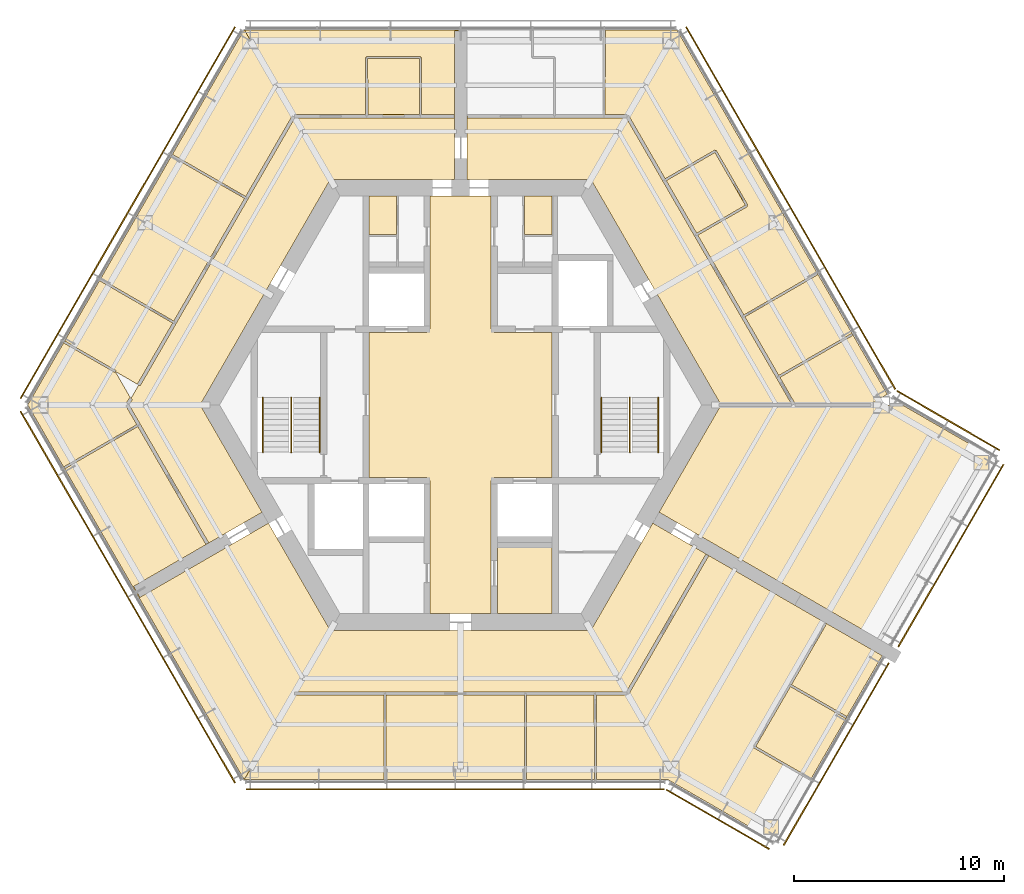
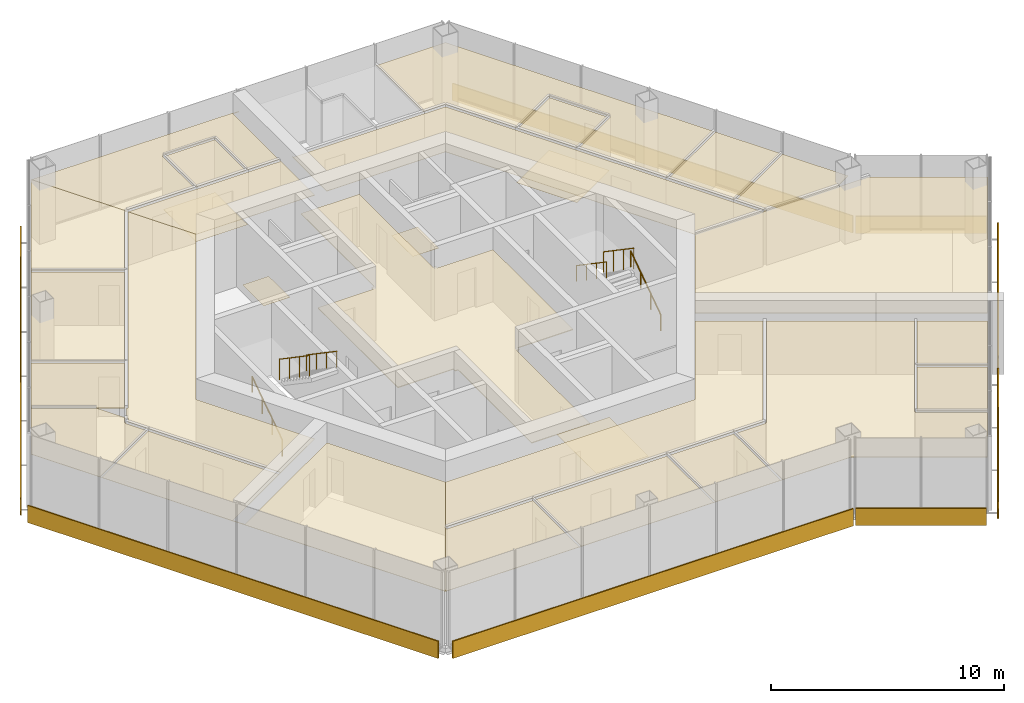
# One storey, part 12 of 13: 29 coverings, 8 shading devices, 6 railings.
"""IFC4 building model written with IfcOpenShell, lengths in metres."""

from ifc_helpers import new_model, si_unit, direction, frame, origin, origin_2d, place, context, subcontext, project, spatial, polyline, rectangle, circle, outline, extrude, material, layer, layer_set, type_object, element, save


model = new_model("IFC4")

# Units and contexts
model_context = context("Model", 3, precision=1e-05, world=origin(), true_north=direction((0.0, 1.0)))
body_context = subcontext(model_context, "Body", "Model", "MODEL_VIEW")
ifc_project = project(units=[si_unit("LENGTHUNIT", "METRE"), si_unit("AREAUNIT", "SQUARE_METRE"), si_unit("VOLUMEUNIT", "CUBIC_METRE"), si_unit("PLANEANGLEUNIT", "RADIAN"), si_unit("MASSUNIT", "GRAM", prefix="KILO")], contexts=[model_context])

# Site, building, storey
site_placement = place(None, origin())
site = spatial("IfcSite", under=ifc_project, at=site_placement, CompositionType="ELEMENT")
building_placement = place(site_placement, origin())
building = spatial("IfcBuilding", under=site, at=building_placement, Name="Kasaneha Research Tower", CompositionType="ELEMENT")
storey_placement = place(building_placement, frame((0.0, 0.0, 279.10009765625)))
storey = spatial("IfcBuildingStorey", under=building, at=storey_placement, Name="L70", CompositionType="ELEMENT", Elevation=279.10009765625)

# Covering
ifc_material_1 = material(Name="Aluminium panel ceiling", Category="aluminium")
ifc_layer_1 = layer(ifc_material_1, 0.0400390625)
ifc_layer_set_1 = layer_set([ifc_layer_1], Name="Lift lobby ceiling 40")
covering_type_1 = type_object("IfcCoveringType", Name="Lift lobby ceiling 40", PredefinedType="CEILING", material=ifc_layer_set_1)
covering_1_placement = place(storey_placement, frame((0.0, 0.0, 2.699951171875)))
element("IfcCovering", 1, at=covering_1_placement, inside=storey, type_object=covering_type_1, Name="Ceiling L70-01", PredefinedType="CEILING", context=body_context, shape_type="SweptSolid", body=[
    extrude(outline(polyline([(1.449951171875, 9.925048828125), (1.449951171875, 3.60009765625), (1.60009765625, 3.60009765625), (1.60009765625, 3.449951171875), (4.35009765625, 3.449951171875), (4.35009765625, -3.449951171875), (1.60009765625, -3.449951171875), (1.60009765625, -3.60009765625), (1.449951171875, -3.60009765625), (1.449951171875, -9.925048828125), (-1.449951171875, -9.925048828125), (-1.449951171875, -3.60009765625), (-1.60009765625, -3.60009765625), (-1.60009765625, -3.449951171875), (-4.35009765625, -3.449951171875), (-4.35009765625, 3.449951171875), (-1.60009765625, 3.449951171875), (-1.60009765625, 3.60009765625), (-1.449951171875, 3.60009765625), (-1.449951171875, 9.925048828125), (1.449951171875, 9.925048828125)])), origin(), (0.0, 0.0, 1.0), 0.0400390625),
])

# Railings
ifc_material_2 = material(Name="Steel", Category="steel")
railing_type_1 = type_object("IfcRailingType", Name="Stair balustrade 1100", PredefinedType="GUARDRAIL", material=ifc_material_2)
for number, where, name in (
    (2, (8.050048828125, 0.35009765625, 2.127197265625), "Stair 1 balustrade L70"),
    (3, (-8.050048828125, 0.35009765625, 2.127197265625), "Stair 2 balustrade L70"),
):
    element("IfcRailing", number, at=place(storey_placement, frame(where)), inside=storey, type_object=railing_type_1, Name=name, PredefinedType="GUARDRAIL", context=body_context, shape_type="SweptSolid", body=[
        extrude(circle(Radius=0.02392578125, at=origin_2d()), frame((0.0, 0.0, 1.076171875), z_axis=(0.0, -0.826240473404, 0.563317565952), x_axis=(1.0, 0.0, 0.0)), (0.0, 0.0, 1.0), 3.14697265625),
        extrude(circle(Radius=0.02099609375, at=origin_2d()), origin(), (0.0, 0.0, 1.0), 1.052001953125),
        extrude(circle(Radius=0.02099609375, at=origin_2d()), frame((0.0, -0.86669921875, 0.5908203125)), (0.0, 0.0, 1.0), 1.052001953125),
        extrude(circle(Radius=0.02099609375, at=origin_2d()), frame((0.0, -1.7333984375, 1.181884765625)), (0.0, 0.0, 1.0), 1.052001953125),
        extrude(circle(Radius=0.02099609375, at=origin_2d()), frame((0.0, -2.60009765625, 1.772705078125)), (0.0, 0.0, 1.0), 1.052001953125),
    ])
ifc_material_3 = material(Name="Steel", Category="steel")
railing_type_2 = type_object("IfcRailingType", Name="Stair handrail 850", PredefinedType="HANDRAIL", material=ifc_material_3)
railing_1_placement = place(storey_placement, frame((9.39990234375, -2.25, 0.17724609375)))
element("IfcRailing", 4, at=railing_1_placement, inside=storey, type_object=railing_type_2, Name="Stair 1 handrail L70", PredefinedType="HANDRAIL", context=body_context, shape_type="SweptSolid", body=[
    extrude(circle(Radius=0.02392578125, at=origin_2d()), frame((0.0, 0.0, 0.826171875), z_axis=(0.0, 0.826240473404, 0.563317565952), x_axis=(-1.0, 0.0, 0.0)), (0.0, 0.0, 1.0), 3.14697265625),
    extrude(circle(Radius=0.02099609375, at=origin_2d()), origin(), (0.0, 0.0, 1.0), 0.802001953125),
    extrude(circle(Radius=0.02099609375, at=origin_2d()), frame((0.0, 0.86669921875, 0.5908203125)), (0.0, 0.0, 1.0), 0.802001953125),
    extrude(circle(Radius=0.02099609375, at=origin_2d()), frame((0.0, 1.7333984375, 1.181884765625)), (0.0, 0.0, 1.0), 0.802001953125),
    extrude(circle(Radius=0.02099609375, at=origin_2d()), frame((0.0, 2.60009765625, 1.772705078125)), (0.0, 0.0, 1.0), 0.802001953125),
])
railing_2_placement = place(storey_placement, frame((6.699951171875, 0.35009765625, 2.127197265625)))
element("IfcRailing", 5, at=railing_2_placement, inside=storey, type_object=railing_type_2, Name="Stair 1 handrail L70", PredefinedType="HANDRAIL", context=body_context, shape_type="SweptSolid", body=[
    extrude(circle(Radius=0.02392578125, at=origin_2d()), frame((0.0, 0.0, 0.826171875), z_axis=(0.0, -0.826240473404, 0.563317565952), x_axis=(1.0, 0.0, 0.0)), (0.0, 0.0, 1.0), 3.14697265625),
    extrude(circle(Radius=0.02099609375, at=origin_2d()), origin(), (0.0, 0.0, 1.0), 0.802001953125),
    extrude(circle(Radius=0.02099609375, at=origin_2d()), frame((0.0, -0.86669921875, 0.5908203125)), (0.0, 0.0, 1.0), 0.802001953125),
    extrude(circle(Radius=0.02099609375, at=origin_2d()), frame((0.0, -1.7333984375, 1.181884765625)), (0.0, 0.0, 1.0), 0.802001953125),
    extrude(circle(Radius=0.02099609375, at=origin_2d()), frame((0.0, -2.60009765625, 1.772705078125)), (0.0, 0.0, 1.0), 0.802001953125),
])
railing_3_placement = place(storey_placement, frame((-9.39990234375, -2.25, 0.17724609375)))
element("IfcRailing", 6, at=railing_3_placement, inside=storey, type_object=railing_type_2, Name="Stair 2 handrail L70", PredefinedType="HANDRAIL", context=body_context, shape_type="SweptSolid", body=[
    extrude(circle(Radius=0.02392578125, at=origin_2d()), frame((0.0, 0.0, 0.826171875), z_axis=(0.0, 0.826240473404, 0.563317565952), x_axis=(-1.0, 0.0, 0.0)), (0.0, 0.0, 1.0), 3.14697265625),
    extrude(circle(Radius=0.02099609375, at=origin_2d()), origin(), (0.0, 0.0, 1.0), 0.802001953125),
    extrude(circle(Radius=0.02099609375, at=origin_2d()), frame((0.0, 0.86669921875, 0.5908203125)), (0.0, 0.0, 1.0), 0.802001953125),
    extrude(circle(Radius=0.02099609375, at=origin_2d()), frame((0.0, 1.7333984375, 1.181884765625)), (0.0, 0.0, 1.0), 0.802001953125),
    extrude(circle(Radius=0.02099609375, at=origin_2d()), frame((0.0, 2.60009765625, 1.772705078125)), (0.0, 0.0, 1.0), 0.802001953125),
])
railing_4_placement = place(storey_placement, frame((-6.699951171875, 0.35009765625, 2.127197265625)))
element("IfcRailing", 7, at=railing_4_placement, inside=storey, type_object=railing_type_2, Name="Stair 2 handrail L70", PredefinedType="HANDRAIL", context=body_context, shape_type="SweptSolid", body=[
    extrude(circle(Radius=0.02392578125, at=origin_2d()), frame((0.0, 0.0, 0.826171875), z_axis=(0.0, -0.826240473404, 0.563317565952), x_axis=(1.0, 0.0, 0.0)), (0.0, 0.0, 1.0), 3.14697265625),
    extrude(circle(Radius=0.02099609375, at=origin_2d()), origin(), (0.0, 0.0, 1.0), 0.802001953125),
    extrude(circle(Radius=0.02099609375, at=origin_2d()), frame((0.0, -0.86669921875, 0.5908203125)), (0.0, 0.0, 1.0), 0.802001953125),
    extrude(circle(Radius=0.02099609375, at=origin_2d()), frame((0.0, -1.7333984375, 1.181884765625)), (0.0, 0.0, 1.0), 0.802001953125),
    extrude(circle(Radius=0.02099609375, at=origin_2d()), frame((0.0, -2.60009765625, 1.772705078125)), (0.0, 0.0, 1.0), 0.802001953125),
])

# Coverings
ifc_material_4 = material(Name="Gypsum ceiling board", Category="gypsum")
ifc_layer_2 = layer(ifc_material_4, 0.02001953125)
ifc_layer_set_2 = layer_set([ifc_layer_2], Name="Suspended ceiling 20")
covering_type_2 = type_object("IfcCoveringType", Name="Suspended ceiling 20", PredefinedType="CEILING", material=ifc_layer_set_2)
covering_2_placement = place(storey_placement, frame((0.0, 0.0, 2.7998046875)))
element("IfcCovering", 8, at=covering_2_placement, inside=storey, type_object=covering_type_2, Name="Ceiling L70-27", PredefinedType="CEILING", context=body_context, shape_type="SweptSolid", body=[
    extrude(outline(polyline([(6.192138671875, 10.72509765625), (0.300048828125, 10.72509765625), (0.300048828125, 11.72509765625), (0.300048828125, 12.72509765625), (0.300048828125, 13.72509765625), (0.320068359375, 13.72509765625), (0.320068359375, 13.64990234375), (4.4599609375, 13.64990234375), (4.469970703125, 13.64990234375), (6.826416015625, 13.64990234375), (6.8359375, 13.64990234375), (7.880859375, 13.64990234375), (9.62353515625, 10.631591796875), (9.62353515625, 10.631591796875), (11.123779296875, 8.033203125), (11.123779296875, 8.033203125), (13.362060546875, 4.156005859375), (13.362060546875, 4.156005859375), (15.02783203125, 1.27099609375), (15.02783203125, 1.27099609375), (15.76171875, 0.0), (12.38427734375, 0.0), (6.192138671875, 10.72509765625)])), origin(), (0.0, 0.0, 1.0), 0.02001953125),
])
covering_3_placement = place(storey_placement, frame((0.0, 0.0, 2.7998046875)))
element("IfcCovering", 9, at=covering_3_placement, inside=storey, type_object=covering_type_2, Name="Ceiling L70-29", PredefinedType="CEILING", context=body_context, shape_type="SweptSolid", body=[
    extrude(outline(polyline([(12.0927734375, 12.004638671875), (13.542724609375, 9.4931640625), (11.223876953125, 8.159423828125), (9.7783203125, 10.663330078125), (12.0927734375, 12.004638671875)])), origin(), (0.0, 0.0, 1.0), 0.02001953125),
])
covering_4_placement = place(storey_placement, frame((0.0, 0.0, 2.7998046875)))
element("IfcCovering", 10, at=covering_4_placement, inside=storey, type_object=covering_type_2, Name="Ceiling L70-30", PredefinedType="CEILING", context=body_context, shape_type="SweptSolid", body=[
    extrude(outline(polyline([(18.619873046875, 3.3505859375), (18.594970703125, 3.393798828125), (15.127685546875, 1.397705078125), (13.51708984375, 4.18798828125), (16.988037109375, 6.197021484375), (16.963134765625, 6.240234375), (16.9716796875, 6.2451171875), (18.63720703125, 3.360595703125), (18.619873046875, 3.3505859375)])), origin(), (0.0, 0.0, 1.0), 0.02001953125),
])
covering_5_placement = place(storey_placement, frame((0.0, 0.0, 2.7998046875)))
element("IfcCovering", 11, at=covering_5_placement, inside=storey, type_object=covering_type_2, Name="Ceiling L70-32", PredefinedType="CEILING", context=body_context, shape_type="SweptSolid", body=[
    extrude(outline(polyline([(20.28759765625, 0.501708984375), (19.41845703125, 0.0), (15.84814453125, 0.0), (15.836669921875, 0.02001953125), (15.901611328125, 0.0576171875), (15.177734375, 1.311279296875), (18.644775390625, 3.30712890625), (18.619873046875, 3.3505859375), (18.63720703125, 3.360595703125), (20.28759765625, 0.501708984375)])), origin(), (0.0, 0.0, 1.0), 0.02001953125),
])
covering_6_placement = place(storey_placement, frame((0.0, 0.0, 2.7998046875)))
element("IfcCovering", 12, at=covering_6_placement, inside=storey, type_object=covering_type_2, Name="Ceiling L70-33", PredefinedType="CEILING", context=body_context, shape_type="SweptSolid", body=[
    extrude(outline(polyline([(16.962890625, 6.24072265625), (16.93798828125, 6.283447265625), (13.467041015625, 4.2744140625), (11.27392578125, 8.072998046875), (13.635986328125, 9.431640625), (13.611328125, 9.474609375), (13.611572265625, 9.474853515625), (13.611328125, 9.47509765625), (13.654296875, 9.5), (12.154296875, 12.097900390625), (12.111572265625, 12.0732421875), (12.111572265625, 12.0732421875), (12.111083984375, 12.072998046875), (12.0859375, 12.1162109375), (9.728271484375, 10.75), (7.989013671875, 13.762451171875), (7.924560546875, 13.725341796875), (7.924560546875, 13.725341796875), (7.924072265625, 13.725341796875), (7.924072265625, 13.800048828125), (6.87646484375, 13.800048828125), (6.880859375, 17.800537109375), (6.83154296875, 17.800537109375), (6.83154296875, 17.820556640625), (10.28857421875, 17.820556640625), (16.971435546875, 6.24560546875), (16.962890625, 6.24072265625)])), origin(), (0.0, 0.0, 1.0), 0.02001953125),
])
covering_7_placement = place(storey_placement, frame((0.0, 0.0, 2.7998046875)))
element("IfcCovering", 13, at=covering_7_placement, inside=storey, type_object=covering_type_2, Name="Ceiling L70-34", PredefinedType="CEILING", context=body_context, shape_type="SweptSolid", body=[
    extrude(outline(polyline([(-0.300048828125, 11.72509765625), (-0.300048828125, 10.72509765625), (-6.192138671875, 10.72509765625), (-7.880859375, 13.64990234375), (-4.469970703125, 13.64990234375), (-4.46044921875, 13.64990234375), (-1.904541015625, 13.64990234375), (-1.89501953125, 13.64990234375), (-0.320068359375, 13.64990234375), (-0.320068359375, 13.72509765625), (-0.300048828125, 13.72509765625), (-0.300048828125, 12.72509765625), (-0.300048828125, 11.72509765625)])), origin(), (0.0, 0.0, 1.0), 0.02001953125),
])
covering_8_placement = place(storey_placement, frame((0.0, 0.0, 2.7998046875)))
element("IfcCovering", 14, at=covering_8_placement, inside=storey, type_object=covering_type_2, Name="Ceiling L70-35", PredefinedType="CEILING", context=body_context, shape_type="SweptSolid", body=[
    extrude(outline(polyline([(-1.9501953125, 16.47509765625), (-1.954345703125, 13.800048828125), (-4.41064453125, 13.800048828125), (-4.4150390625, 16.47509765625), (-1.9501953125, 16.47509765625)])), origin(), (0.0, 0.0, 1.0), 0.02001953125),
])
covering_9_placement = place(storey_placement, frame((0.0, 0.0, 2.7998046875)))
element("IfcCovering", 15, at=covering_9_placement, inside=storey, type_object=covering_type_2, Name="Ceiling L70-36", PredefinedType="CEILING", context=body_context, shape_type="SweptSolid", body=[
    extrude(outline(polyline([(-0.320068359375, 13.7255859375), (-0.320068359375, 13.800048828125), (-1.8544921875, 13.800048828125), (-1.85009765625, 16.52490234375), (-1.899658203125, 16.52490234375), (-1.899658203125, 16.525390625), (-1.89990234375, 16.525390625), (-1.89990234375, 16.574951171875), (-4.465087890625, 16.574951171875), (-4.465087890625, 16.525390625), (-4.465087890625, 16.52490234375), (-4.514892578125, 16.52490234375), (-4.510498046875, 13.800048828125), (-7.90087890625, 13.800048828125), (-7.90087890625, 13.725341796875), (-7.92431640625, 13.725341796875), (-10.28857421875, 17.820556640625), (0.0, 17.820556640625), (0.0, 17.7705078125), (-0.300048828125, 17.7705078125), (-0.300048828125, 17.7705078125), (-0.300048828125, 13.7255859375), (-0.320068359375, 13.7255859375)])), origin(), (0.0, 0.0, 1.0), 0.02001953125),
])
covering_10_placement = place(storey_placement, frame((0.0, 0.0, 2.7998046875)))
element("IfcCovering", 16, at=covering_10_placement, inside=storey, type_object=covering_type_2, Name="Ceiling L70-37", PredefinedType="CEILING", context=body_context, shape_type="SweptSolid", body=[
    extrude(outline(polyline([(-12.38427734375, 0.0), (-9.438232421875, -5.102783203125), (-10.30419921875, -5.602783203125), (-10.30419921875, -5.602783203125), (-11.170166015625, -6.102783203125), (-11.170166015625, -6.102783203125), (-12.0361328125, -6.602783203125), (-12.046142578125, -6.58544921875), (-11.981201171875, -6.5478515625), (-15.239013671875, -0.905517578125), (-15.239013671875, -0.905517578125), (-15.76171875, 0.0), (-15.607177734375, 0.267578125), (-15.672119140625, 0.304931640625), (-15.30419921875, 0.9423828125), (-15.2392578125, 0.90478515625), (-13.5263671875, 3.871337890625), (-13.526611328125, 3.871337890625), (-10.111328125, 9.786865234375), (-10.111328125, 9.786865234375), (-7.880859375, 13.64990234375), (-7.880859375, 13.64990234375), (-6.192138671875, 10.72509765625), (-12.38427734375, 0.0)])), origin(), (0.0, 0.0, 1.0), 0.02001953125),
])
covering_11_placement = place(storey_placement, frame((0.0, 0.0, 2.7998046875)))
element("IfcCovering", 17, at=covering_11_placement, inside=storey, type_object=covering_type_2, Name="Ceiling L70-38", PredefinedType="CEILING", context=body_context, shape_type="SweptSolid", body=[
    extrude(outline(polyline([(-17.12353515625, 5.9423828125), (-17.1484375, 5.899169921875), (-13.68603515625, 3.89501953125), (-15.36669921875, 0.984130859375), (-16.413330078125, 1.58837890625), (-16.38818359375, 1.6318359375), (-18.81494140625, 3.03271484375), (-18.83984375, 2.989501953125), (-18.848388671875, 2.994384765625), (-17.140869140625, 5.952392578125), (-17.12353515625, 5.9423828125)])), origin(), (0.0, 0.0, 1.0), 0.02001953125),
])
covering_12_placement = place(storey_placement, frame((0.0, 0.0, 2.7998046875)))
element("IfcCovering", 18, at=covering_12_placement, inside=storey, type_object=covering_type_2, Name="Ceiling L70-39", PredefinedType="CEILING", context=body_context, shape_type="SweptSolid", body=[
    extrude(outline(polyline([(-12.027587890625, 14.83251953125), (-10.299072265625, 17.826416015625), (-10.291748046875, 17.83203125), (-10.282470703125, 17.830810546875), (-7.912353515625, 13.725830078125), (-7.917236328125, 13.714111328125), (-7.924560546875, 13.725341796875), (-7.93603515625, 13.705322265625), (-8.000732421875, 13.742431640625), (-10.21630859375, 9.905029296875), (-13.691650390625, 11.906494140625), (-13.716552734375, 11.86328125), (-13.725341796875, 11.8681640625), (-12.023193359375, 14.816162109375), (-12.029052734375, 14.82373046875), (-12.027587890625, 14.83251953125)])), origin(), (0.0, 0.0, 1.0), 0.02001953125),
])
covering_13_placement = place(storey_placement, frame((0.0, 0.0, 2.7998046875)))
element("IfcCovering", 19, at=covering_13_placement, inside=storey, type_object=covering_type_2, Name="Ceiling L70-40", PredefinedType="CEILING", context=body_context, shape_type="SweptSolid", body=[
    extrude(outline(polyline([(-18.848388671875, -2.994384765625), (-20.577880859375, 0.0), (-18.8486328125, 2.99462890625), (-18.83984375, 2.989501953125), (-18.864990234375, 2.9462890625), (-16.438232421875, 1.545166015625), (-16.416015625, 1.58349609375), (-15.680908203125, 0.31005859375), (-15.737060546875, 0.342529296875), (-15.913330078125, 0.03759765625), (-15.848388671875, 0.0), (-15.913330078125, -0.03759765625), (-15.393798828125, -0.937255859375), (-18.864990234375, -2.9462890625), (-18.83984375, -2.989501953125), (-18.848388671875, -2.994384765625)])), origin(), (0.0, 0.0, 1.0), 0.02001953125),
])
covering_14_placement = place(storey_placement, frame((0.0, 0.0, 2.7998046875)))
element("IfcCovering", 20, at=covering_14_placement, inside=storey, type_object=covering_type_2, Name="Ceiling L70-41", PredefinedType="CEILING", context=body_context, shape_type="SweptSolid", body=[
    extrude(outline(polyline([(-17.140380859375, 5.952880859375), (-13.7255859375, 11.86767578125), (-13.716796875, 11.86279296875), (-13.74169921875, 11.81982421875), (-10.26611328125, 9.818359375), (-13.63623046875, 3.981689453125), (-17.098388671875, 5.985595703125), (-17.123291015625, 5.94287109375), (-17.140380859375, 5.952880859375)])), origin(), (0.0, 0.0, 1.0), 0.02001953125),
])
covering_15_placement = place(storey_placement, frame((0.0, 0.0, 2.7998046875)))
element("IfcCovering", 21, at=covering_15_placement, inside=storey, type_object=covering_type_2, Name="Ceiling L70-42", PredefinedType="CEILING", context=body_context, shape_type="SweptSolid", body=[
    extrude(outline(polyline([(-15.539794921875, -8.62548828125), (-15.3896484375, -8.88525390625), (-15.43310546875, -8.91015625), (-18.84814453125, -2.994873046875), (-18.839599609375, -2.989990234375), (-18.81494140625, -3.03271484375), (-15.34375, -1.023681640625), (-12.111083984375, -6.622802734375), (-12.046630859375, -6.585693359375), (-12.03662109375, -6.60302734375), (-15.539794921875, -8.62548828125), (-15.539794921875, -8.62548828125), (-15.539794921875, -8.62548828125)])), origin(), (0.0, 0.0, 1.0), 0.02001953125),
])
covering_16_placement = place(storey_placement, frame((0.0, 0.0, 2.7998046875)))
element("IfcCovering", 22, at=covering_16_placement, inside=storey, type_object=covering_type_2, Name="Ceiling L70-43", PredefinedType="CEILING", context=body_context, shape_type="SweptSolid", body=[
    extrude(outline(polyline([(-10.004150390625, -6.122314453125), (-10.004150390625, -6.122314453125), (-9.50927734375, -5.836669921875), (-9.13818359375, -5.622314453125), (-6.192138671875, -10.72509765625), (-7.880859375, -13.64990234375), (-7.90087890625, -13.64990234375), (-7.90087890625, -13.684814453125), (-10.28857421875, -17.820556640625), (-15.43310546875, -8.91015625), (-15.3896484375, -8.88525390625), (-15.23974609375, -9.14501953125), (-10.004150390625, -6.122314453125)])), origin(), (0.0, 0.0, 1.0), 0.02001953125),
])
covering_17_placement = place(storey_placement, frame((0.0, 0.0, 2.7998046875)))
element("IfcCovering", 23, at=covering_17_placement, inside=storey, type_object=covering_type_2, Name="Ceiling L70-44", PredefinedType="CEILING", context=body_context, shape_type="SweptSolid", body=[
    extrude(outline(polyline([(11.170166015625, -6.102783203125), (10.30419921875, -5.602783203125), (10.227783203125, -5.55859375), (9.438232421875, -5.102783203125), (12.38427734375, 0.0), (15.76171875, 0.0), (15.771728515625, -0.017578125), (15.802001953125, 0.0), (21.0, 0.0), (25.446044921875, -2.56689453125), (20.34619140625, -11.400390625), (12.1259765625, -6.654541015625), (11.170166015625, -6.102783203125)])), origin(), (0.0, 0.0, 1.0), 0.02001953125),
])
covering_18_placement = place(storey_placement, frame((0.0, 0.0, 2.7998046875)))
element("IfcCovering", 24, at=covering_18_placement, inside=storey, type_object=covering_type_2, Name="Ceiling L70-45", PredefinedType="CEILING", context=body_context, shape_type="SweptSolid", body=[
    extrude(outline(polyline([(-6.192138671875, -10.72509765625), (6.192138671875, -10.72509765625), (9.13818359375, -5.622314453125), (10.004150390625, -6.122314453125), (10.004150390625, -6.122314453125), (10.8701171875, -6.622314453125), (10.8701171875, -6.622314453125), (11.736083984375, -7.122314453125), (11.726318359375, -7.1396484375), (11.6611328125, -7.10205078125), (7.880859375, -13.64990234375), (6.413330078125, -13.64990234375), (6.40380859375, -13.64990234375), (3.081787109375, -13.64990234375), (3.072509765625, -13.64990234375), (-3.57958984375, -13.64990234375), (-3.589111328125, -13.64990234375), (-7.880859375, -13.64990234375), (-6.192138671875, -10.72509765625)])), origin(), (0.0, 0.0, 1.0), 0.02001953125),
])
covering_19_placement = place(storey_placement, frame((0.0, 0.0, 2.7998046875)))
element("IfcCovering", 25, at=covering_19_placement, inside=storey, type_object=covering_type_2, Name="Ceiling L70-46", PredefinedType="CEILING", context=body_context, shape_type="SweptSolid", body=[
    extrude(outline(polyline([(-7.924560546875, -13.72509765625), (-7.90087890625, -13.72509765625), (-7.90087890625, -13.800048828125), (-3.638916015625, -13.800048828125), (-3.634521484375, -17.800537109375), (-3.58447265625, -17.800537109375), (-3.58447265625, -17.820556640625), (-10.2890625, -17.820556640625), (-7.924560546875, -13.72509765625)])), origin(), (0.0, 0.0, 1.0), 0.02001953125),
])
covering_20_placement = place(storey_placement, frame((0.0, 0.0, 2.7998046875)))
element("IfcCovering", 26, at=covering_20_placement, inside=storey, type_object=covering_type_2, Name="Ceiling L70-47", PredefinedType="CEILING", context=body_context, shape_type="SweptSolid", body=[
    extrude(outline(polyline([(3.077392578125, -17.800537109375), (3.12744140625, -17.800537109375), (3.1318359375, -13.800048828125), (6.353759765625, -13.800048828125), (6.3583984375, -17.800537109375), (6.408203125, -17.800537109375), (6.408203125, -17.820556640625), (3.077392578125, -17.820556640625), (3.077392578125, -17.800537109375)])), origin(), (0.0, 0.0, 1.0), 0.02001953125),
])
covering_21_placement = place(storey_placement, frame((0.0, 0.0, 2.7998046875)))
element("IfcCovering", 27, at=covering_21_placement, inside=storey, type_object=covering_type_2, Name="Ceiling L70-48", PredefinedType="CEILING", context=body_context, shape_type="SweptSolid", body=[
    extrude(outline(polyline([(16.646240234375, -17.80908203125), (16.62890625, -17.799072265625), (16.65380859375, -17.755615234375), (14.02978515625, -16.24072265625), (15.68115234375, -13.389404296875), (18.303955078125, -14.89794921875), (18.328857421875, -14.8544921875), (18.34619140625, -14.864501953125), (16.646240234375, -17.80908203125)])), origin(), (0.0, 0.0, 1.0), 0.02001953125),
])
covering_22_placement = place(storey_placement, frame((0.0, 0.0, 2.7998046875)))
element("IfcCovering", 28, at=covering_22_placement, inside=storey, type_object=covering_type_2, Name="Ceiling L70-49", PredefinedType="CEILING", context=body_context, shape_type="SweptSolid", body=[
    extrude(outline(polyline([(18.34619140625, -14.864501953125), (18.328857421875, -14.8544921875), (18.353759765625, -14.811279296875), (15.731201171875, -13.302734375), (17.394775390625, -10.412353515625), (17.3515625, -10.387451171875), (17.361572265625, -10.3701171875), (20.046142578125, -11.920166015625), (18.34619140625, -14.864501953125)])), origin(), (0.0, 0.0, 1.0), 0.02001953125),
])
covering_23_placement = place(storey_placement, frame((0.0, 0.0, 2.7998046875)))
element("IfcCovering", 29, at=covering_23_placement, inside=storey, type_object=covering_type_2, Name="Ceiling L70-50", PredefinedType="CEILING", context=body_context, shape_type="SweptSolid", body=[
    extrude(outline(polyline([(13.96142578125, -16.25927734375), (13.9365234375, -16.30224609375), (16.603759765625, -17.84228515625), (16.62841796875, -17.799560546875), (16.64599609375, -17.8095703125), (14.946044921875, -20.75341796875), (9.865966796875, -17.820556640625), (6.40869140625, -17.820556640625), (6.40869140625, -17.800537109375), (6.458251953125, -17.800537109375), (6.453857421875, -13.800048828125), (7.924072265625, -13.800048828125), (7.924072265625, -13.725341796875), (7.924560546875, -13.725341796875), (7.924560546875, -13.725341796875), (7.989013671875, -13.762451171875), (11.791259765625, -7.177001953125), (11.7265625, -7.139892578125), (11.736572265625, -7.12255859375), (17.361083984375, -10.369873046875), (17.35107421875, -10.38720703125), (17.30810546875, -10.362548828125), (15.6220703125, -13.291748046875), (13.918212890625, -16.23388671875), (13.961181640625, -16.2587890625), (13.9609375, -16.259033203125), (13.96142578125, -16.25927734375)])), origin(), (0.0, 0.0, 1.0), 0.02001953125),
])
covering_24_placement = place(storey_placement, frame((0.0, 0.0, 2.7998046875)))
element("IfcCovering", 30, at=covering_24_placement, inside=storey, type_object=covering_type_2, Name="Ceiling L70-51", PredefinedType="CEILING", context=body_context, shape_type="SweptSolid", body=[
    extrude(outline(polyline([(3.076904296875, -17.820556640625), (-3.583984375, -17.820556640625), (-3.583984375, -17.800537109375), (-3.534423828125, -17.800537109375), (-3.538818359375, -13.800048828125), (3.03173828125, -13.800048828125), (3.02734375, -17.800537109375), (3.076904296875, -17.800537109375), (3.076904296875, -17.820556640625)])), origin(), (0.0, 0.0, 1.0), 0.02001953125),
])

# Shading devices
ifc_material_5 = material(Name="Terracotta", Category="masonry")
ifc_layer_3 = layer(ifc_material_5, 0.06005859375)
ifc_layer_set_3 = layer_set([ifc_layer_3], Name="Terracotta baguette screen")
shading_device_type = type_object("IfcShadingDeviceType", Name="Terracotta baguette screen", PredefinedType="USERDEFINED", material=ifc_layer_set_3)
shading_device_1_placement = place(storey_placement, frame((15.696044921875, 9.35498046875, -0.449951171875), z_axis=(0.0, 0.0, 1.0), x_axis=(-0.499999979232, 0.866025415775, 0.0)))
element("IfcShadingDevice", 31, at=shading_device_1_placement, inside=storey, type_object=shading_device_type, Name="Baguette screen L70 01", ObjectType="TERRACOTTA BAGUETTE SCREEN", PredefinedType="USERDEFINED", context=body_context, shape_type="SweptSolid", body=[
    extrude(rectangle(XDim=19.8857421875, YDim=0.06005859375, at=origin_2d()), origin(), (0.0, 0.0, 1.0), 0.89990234375),
])
for number, where, z_axis, x_axis, name in (
    (32, (-15.82275390625, 9.13525390625, -0.449951171875), (0.0, 0.0, 1.0), (-0.499999995722, -0.866025406254, 0.0), "Baguette screen L70 03"),
    (33, (-15.82275390625, -9.13525390625, -0.449951171875), (0.0, 0.0, 1.0), (0.499999995722, -0.866025406254, 0.0), "Baguette screen L70 04"),
):
    element("IfcShadingDevice", number, at=place(storey_placement, frame(where, z_axis=z_axis, x_axis=x_axis)), inside=storey, type_object=shading_device_type, Name=name, ObjectType="TERRACOTTA BAGUETTE SCREEN", PredefinedType="USERDEFINED", context=body_context, shape_type="SweptSolid", body=[
        extrude(rectangle(XDim=20.392822265625, YDim=0.06005859375, at=origin_2d()), origin(), (0.0, 0.0, 1.0), 0.89990234375),
    ])
shading_device_2_placement = place(storey_placement, frame((-0.253662109375, -18.2705078125, -0.449951171875), z_axis=(0.0, 0.0, 1.0), x_axis=(1.0, 0.0, 0.0)))
element("IfcShadingDevice", 34, at=shading_device_2_placement, inside=storey, type_object=shading_device_type, Name="Baguette screen L70 05", ObjectType="TERRACOTTA BAGUETTE SCREEN", PredefinedType="USERDEFINED", context=body_context, shape_type="SweptSolid", body=[
    extrude(rectangle(XDim=19.8857421875, YDim=0.06005859375, at=origin_2d()), origin(), (0.0, 0.0, 1.0), 0.89990234375),
])
shading_device_3_placement = place(storey_placement, frame((12.236083984375, -19.70849609375, -0.449951171875), z_axis=(0.0, 0.0, 1.0), x_axis=(0.866025443395, -0.499999931393, 0.0)))
element("IfcShadingDevice", 35, at=shading_device_3_placement, inside=storey, type_object=shading_device_type, Name="Baguette screen L70 06", ObjectType="TERRACOTTA BAGUETTE SCREEN", PredefinedType="USERDEFINED", context=body_context, shape_type="SweptSolid", body=[
    extrude(rectangle(XDim=5.63916015625, YDim=0.06005859375, at=origin_2d()), origin(), (0.0, 0.0, 1.0), 0.89990234375),
])
for number, where, z_axis, x_axis, name in (
    (36, (17.86083984375, -16.60498046875, -0.449951171875), (0.0, 0.0, 1.0), (0.500000011442, 0.866025397178, 0.0), "Baguette screen L70 07"),
    (37, (23.310791015625, -7.16552734375, -0.449951171875), (0.0, 0.0, 1.0), (0.500000011442, 0.866025397178, 0.0), "Baguette screen L70 08"),
):
    element("IfcShadingDevice", number, at=place(storey_placement, frame(where, z_axis=z_axis, x_axis=x_axis)), inside=storey, type_object=shading_device_type, Name=name, ObjectType="TERRACOTTA BAGUETTE SCREEN", PredefinedType="USERDEFINED", context=body_context, shape_type="SweptSolid", body=[
        extrude(rectangle(XDim=10.0, YDim=0.06005859375, at=origin_2d()), origin(), (0.0, 0.0, 1.0), 0.89990234375),
    ])
shading_device_4_placement = place(storey_placement, frame((23.18603515625, -0.742431640625, -0.449951171875), z_axis=(0.0, 0.0, 1.0), x_axis=(-0.866025443395, 0.499999931393, 0.0)))
element("IfcShadingDevice", 38, at=shading_device_4_placement, inside=storey, type_object=shading_device_type, Name="Baguette screen L70 09", ObjectType="TERRACOTTA BAGUETTE SCREEN", PredefinedType="USERDEFINED", context=body_context, shape_type="SweptSolid", body=[
    extrude(rectangle(XDim=5.63916015625, YDim=0.06005859375, at=origin_2d()), origin(), (0.0, 0.0, 1.0), 0.89990234375),
])

# Coverings
ifc_material_6 = material(Name="Vinyl sheet flooring", Category="plastic")
ifc_layer_4 = layer(ifc_material_6, 0.0048828125)
ifc_layer_set_4 = layer_set([ifc_layer_4], Name="Wet room sheet flooring 5")
covering_type_3 = type_object("IfcCoveringType", Name="Wet room sheet flooring 5", PredefinedType="FLOORING", material=ifc_layer_set_4)
covering_25_placement = place(storey_placement, origin())
element("IfcCovering", 39, at=covering_25_placement, inside=storey, type_object=covering_type_3, Name="Floor finish L70-07", PredefinedType="FLOORING", context=body_context, shape_type="SweptSolid", body=[
    extrude(outline(polyline([(-4.35009765625, 8.10009765625), (-4.35009765625, 9.925048828125), (-3.050048828125, 9.925048828125), (-3.050048828125, 8.10009765625), (-4.35009765625, 8.10009765625)])), origin(), (0.0, 0.0, 1.0), 0.0048828125),
])
covering_26_placement = place(storey_placement, origin())
element("IfcCovering", 40, at=covering_26_placement, inside=storey, type_object=covering_type_3, Name="Floor finish L70-10", PredefinedType="FLOORING", context=body_context, shape_type="SweptSolid", body=[
    extrude(outline(polyline([(4.35009765625, 8.10009765625), (3.050048828125, 8.10009765625), (3.050048828125, 9.925048828125), (4.35009765625, 9.925048828125), (4.35009765625, 8.10009765625)])), origin(), (0.0, 0.0, 1.0), 0.0048828125),
])
covering_27_placement = place(storey_placement, origin())
element("IfcCovering", 41, at=covering_27_placement, inside=storey, type_object=covering_type_3, Name="Floor finish L70-13", PredefinedType="FLOORING", context=body_context, shape_type="SweptSolid", body=[
    extrude(outline(polyline([(1.75, -9.925048828125), (1.75, -6.550048828125), (4.35009765625, -6.550048828125), (4.35009765625, -9.925048828125), (1.75, -9.925048828125)])), origin(), (0.0, 0.0, 1.0), 0.0048828125),
])
covering_28_placement = place(storey_placement, origin())
element("IfcCovering", 42, at=covering_28_placement, inside=storey, type_object=covering_type_3, Name="Floor finish L70-29", PredefinedType="FLOORING", context=body_context, shape_type="SweptSolid", body=[
    extrude(outline(polyline([(12.111083984375, 12.072998046875), (13.611083984375, 9.474853515625), (11.186279296875, 8.074951171875), (9.686279296875, 10.673095703125), (12.111083984375, 12.072998046875)])), origin(), (0.0, 0.0, 1.0), 0.0048828125),
])
covering_29_placement = place(storey_placement, origin())
element("IfcCovering", 43, at=covering_29_placement, inside=storey, type_object=covering_type_3, Name="Floor finish L70-35", PredefinedType="FLOORING", context=body_context, shape_type="SweptSolid", body=[
    extrude(outline(polyline([(-4.465087890625, 16.52490234375), (-1.89990234375, 16.52490234375), (-1.89990234375, 13.72509765625), (-4.465087890625, 13.72509765625), (-4.465087890625, 16.52490234375)])), origin(), (0.0, 0.0, 1.0), 0.0048828125),
])

save(model, "model.ifc")
